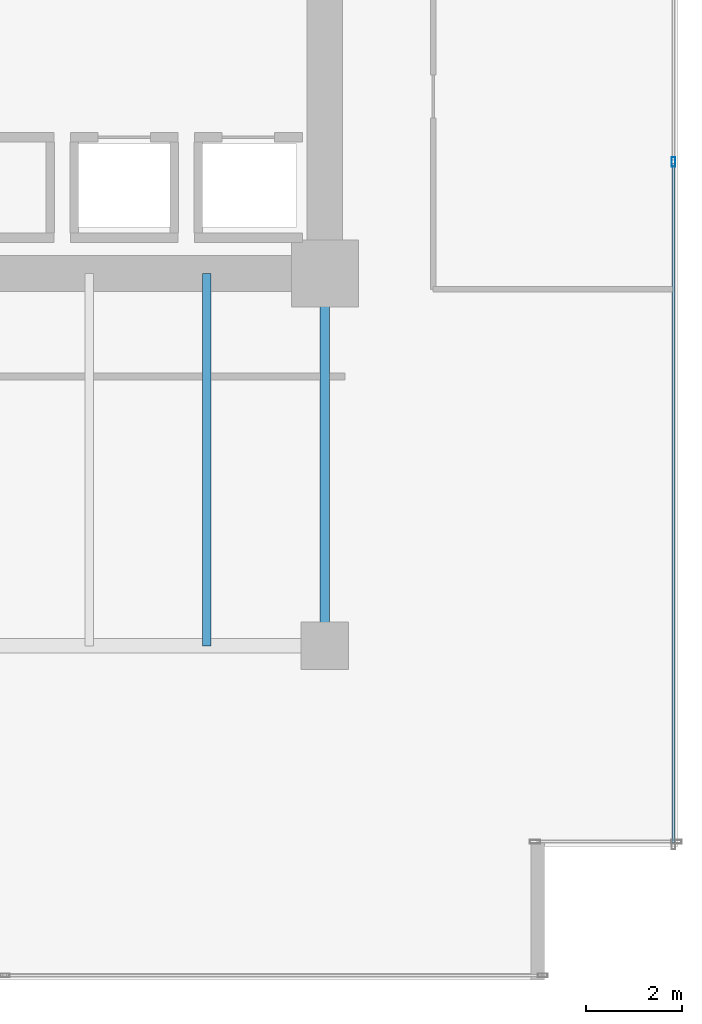
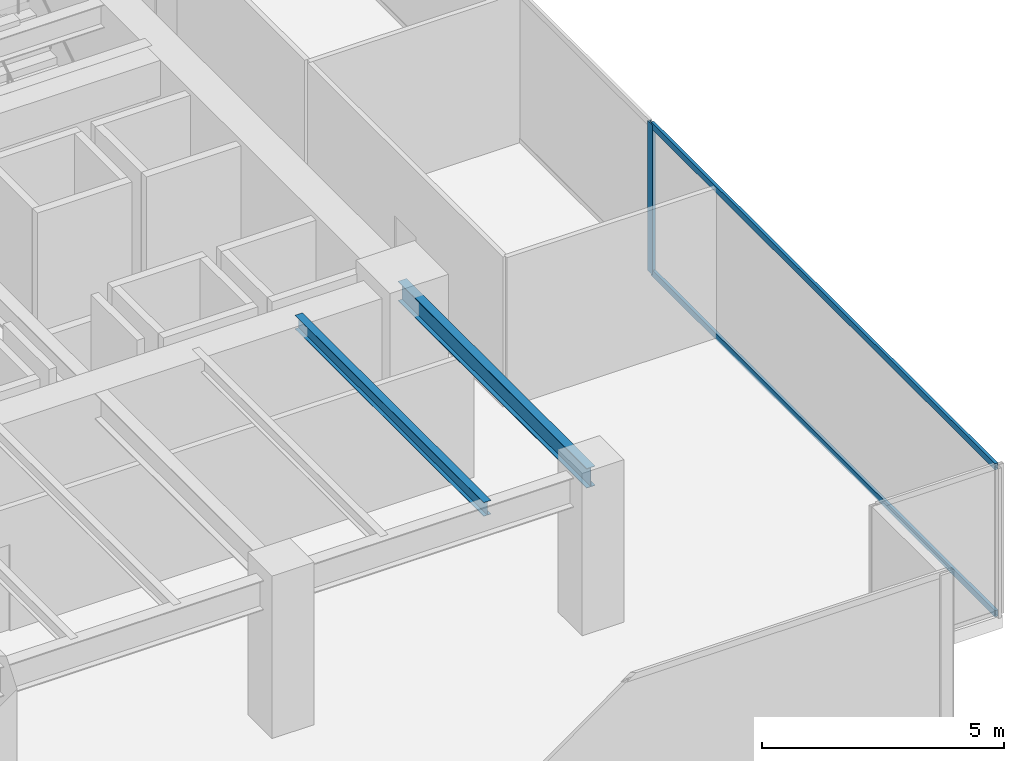
# One storey, part 24 of 35: 3 members, 2 beams, 1 element without a shape of its own.
"""IFC4 building model written with IfcOpenShell, lengths in metres."""

from ifc_helpers import new_model, si_unit, direction, frame, origin, origin_2d, place, context, subcontext, project, spatial, hollow_rectangle, i_section, extrude, source, transform, mapped, material, layer, layer_set, material_profile, profile_set, type_object, type_shapes, element, aggregate, save


model = new_model("IFC4")

# Units and contexts
model_context = context("Model", 3, precision=1e-05, world=origin(), true_north=direction((0.0, 1.0)))
body_context = subcontext(model_context, "Body", "Model", "MODEL_VIEW")
ifc_project = project(units=[si_unit("LENGTHUNIT", "METRE"), si_unit("AREAUNIT", "SQUARE_METRE"), si_unit("VOLUMEUNIT", "CUBIC_METRE"), si_unit("PLANEANGLEUNIT", "RADIAN"), si_unit("MASSUNIT", "GRAM", prefix="KILO")], contexts=[model_context])

# Site, building, storey
site_placement = place(None, origin())
site = spatial("IfcSite", under=ifc_project, at=site_placement, CompositionType="ELEMENT")
building_placement = place(site_placement, origin())
building = spatial("IfcBuilding", under=site, at=building_placement, Name="Haelvirn Gate Laboratories", CompositionType="ELEMENT")
storey_placement = place(building_placement, frame((0.0, 0.0, 90.800048828125)))
storey = spatial("IfcBuildingStorey", under=building, at=storey_placement, Name="L22", CompositionType="ELEMENT", Elevation=90.800048828125)

# Beams
ifc_material_1 = material(Name="Steel SM355", Category="steel")
ifc_material_profile_1 = material_profile(ifc_material_1, i_section(OverallWidth=0.199951171875, OverallDepth=0.5, WebThickness=0.010009765625, FlangeThickness=0.01611328125, at=origin_2d()), Name="H-500x200x10x16")
ifc_profile_set_1 = profile_set([ifc_material_profile_1], Name="Steel SM355")
beam_type_1 = type_object("IfcBeamType", Name="BM-SP-500", PredefinedType="SPANDREL", material=ifc_profile_set_1)
shared_shape_1 = source(origin(), body_context, "Body", "SweptSolid", [
    extrude(i_section(OverallWidth=0.199951171875, OverallDepth=0.5, WebThickness=0.010009765625, FlangeThickness=0.01611328125, at=origin_2d()), origin(), (0.0, 0.0, 1.0), 7.800048828125),
])
type_shapes(beam_type_1, [shared_shape_1])
beam_1_placement = place(storey_placement, frame((67.39990234375, 7.0, 3.530029296875), z_axis=(0.0, 1.0, 0.0), x_axis=(-1.0, 0.0, 0.0)))
element("IfcBeam", 1, at=beam_1_placement, inside=storey, type_object=beam_type_1, Name="L22 Perimeter Spandrel X67.4 (7.0-14.8)", PredefinedType="SPANDREL", context=body_context, shape_type="MappedRepresentation", body=[
    mapped(shared_shape_1, transform((0.0, 0.0, 0.0), scale=1.0)),
])
ifc_material_profile_2 = material_profile(ifc_material_1, i_section(OverallWidth=0.175048828125, OverallDepth=0.35009765625, WebThickness=0.007080078125, FlangeThickness=0.010986328125, at=origin_2d()), Name="H-350x175x7x11")
ifc_profile_set_2 = profile_set([ifc_material_profile_2], Name="Steel SM355")
beam_type_2 = type_object("IfcBeamType", Name="BM-J-350", PredefinedType="JOIST", material=ifc_profile_set_2)
shared_shape_2 = source(origin(), body_context, "Body", "SweptSolid", [
    extrude(i_section(OverallWidth=0.175048828125, OverallDepth=0.35009765625, WebThickness=0.007080078125, FlangeThickness=0.010986328125, at=origin_2d()), origin(), (0.0, 0.0, 1.0), 7.800048828125),
])
type_shapes(beam_type_2, [shared_shape_2])
beam_2_placement = place(storey_placement, frame((64.929931640625, 7.0, 3.60498046875), z_axis=(0.0, 1.0, 0.0), x_axis=(-1.0, 0.0, 0.0)))
element("IfcBeam", 2, at=beam_2_placement, inside=storey, type_object=beam_type_2, Name="L22 Composite Lab Joist South X64.93", PredefinedType="JOIST", context=body_context, shape_type="MappedRepresentation", body=[
    mapped(shared_shape_2, transform((0.0, 0.0, 0.0), scale=1.0)),
])

# Curtain wall, members
ifc_material_2 = material(Name="Anodised bronze unitised aluminium & triple low-E glass", Category="aluminium")
ifc_layer = layer(ifc_material_2, 0.18408203125, Name="CW-SYS-2")
ifc_layer_set = layer_set([ifc_layer], Name="Anodised bronze unitised aluminium & triple low-E glass")
curtain_wall_type = type_object("IfcCurtainWallType", Name="CW-SYS-2", PredefinedType="NOTDEFINED", material=ifc_layer_set)
curtain_wall_placement = place(storey_placement, origin())
curtain_wall = element("IfcCurtainWall", 3, at=curtain_wall_placement, inside=storey, type_object=curtain_wall_type, Name="L22 Unitised Curtain Wall CW-L22-P0-E07", PredefinedType="NOTDEFINED")
ifc_material_3 = material(Name="Extruded aluminium 6063-T6 (anodised bronze)", Category="aluminium")
ifc_material_profile_3 = material_profile(ifc_material_3, hollow_rectangle(XDim=0.074951171875, YDim=0.199951171875, WallThickness=0.0048828125, at=origin_2d()), Name="CWM-200x75x5")
ifc_profile_set_3 = profile_set([ifc_material_profile_3], Name="Extruded aluminium 6063-T6 (anodised bronze)")
member_type_1 = type_object("IfcMemberType", Name="CWM-T200", PredefinedType="MULLION", material=ifc_profile_set_3)
shared_shape_3 = source(origin(), body_context, "Body", "SweptSolid", [
    extrude(hollow_rectangle(XDim=0.074951171875, YDim=0.199951171875, WallThickness=0.0048828125, at=origin_2d()), origin(), (0.0, 0.0, 1.0), 3.780029296875),
])
type_shapes(member_type_1, [shared_shape_3])
member_1_placement = place(storey_placement, frame((74.699951171875, 17.13330078125, 0.0), z_axis=(0.0, 0.0, 1.0), x_axis=(-1.0, 0.0, 0.0)))
member_1 = element("IfcMember", 4, at=member_1_placement, type_object=member_type_1, Name="CW2 mullion 2", PredefinedType="MULLION", context=body_context, shape_type="MappedRepresentation", body=[
    mapped(shared_shape_3, transform((0.0, 0.0, 0.0), scale=1.0)),
])
ifc_material_profile_4 = material_profile(ifc_material_3, hollow_rectangle(XDim=0.070068359375, YDim=0.159912109375, WallThickness=0.0048828125, at=origin_2d()), Name="CWT-160x70x5")
ifc_profile_set_4 = profile_set([ifc_material_profile_4], Name="Extruded aluminium 6063-T6 (anodised bronze)")
member_type_2 = type_object("IfcMemberType", Name="CWT-T160", PredefinedType="USERDEFINED", material=ifc_profile_set_4)
shared_shape_4 = source(origin(), body_context, "Body", "SweptSolid", [
    extrude(hollow_rectangle(XDim=0.070068359375, YDim=0.159912109375, WallThickness=0.0048828125, at=origin_2d()), origin(), (0.0, 0.0, 1.0), 14.220947265625),
])
type_shapes(member_type_2, [shared_shape_4])
member_2_placement = place(storey_placement, frame((74.699951171875, 2.875, 0.034912109375), z_axis=(0.0, 1.0, 0.0), x_axis=(-1.0, 0.0, 0.0)))
member_2 = element("IfcMember", 5, at=member_2_placement, type_object=member_type_2, Name="CW2 transom 1.1", ObjectType="TRANSOM", PredefinedType="USERDEFINED", context=body_context, shape_type="MappedRepresentation", body=[
    mapped(shared_shape_4, transform((0.0, 0.0, 0.0), scale=1.0)),
])
member_3_placement = place(storey_placement, frame((74.699951171875, 2.875, 3.744873046875), z_axis=(0.0, 1.0, 0.0), x_axis=(-1.0, 0.0, 0.0)))
member_3 = element("IfcMember", 6, at=member_3_placement, type_object=member_type_2, Name="CW2 transom 1.2", ObjectType="TRANSOM", PredefinedType="USERDEFINED", context=body_context, shape_type="MappedRepresentation", body=[
    mapped(shared_shape_4, transform((0.0, 0.0, 0.0), scale=1.0)),
])
aggregate(curtain_wall, [member_1, member_2, member_3])

save(model, "model.ifc")
